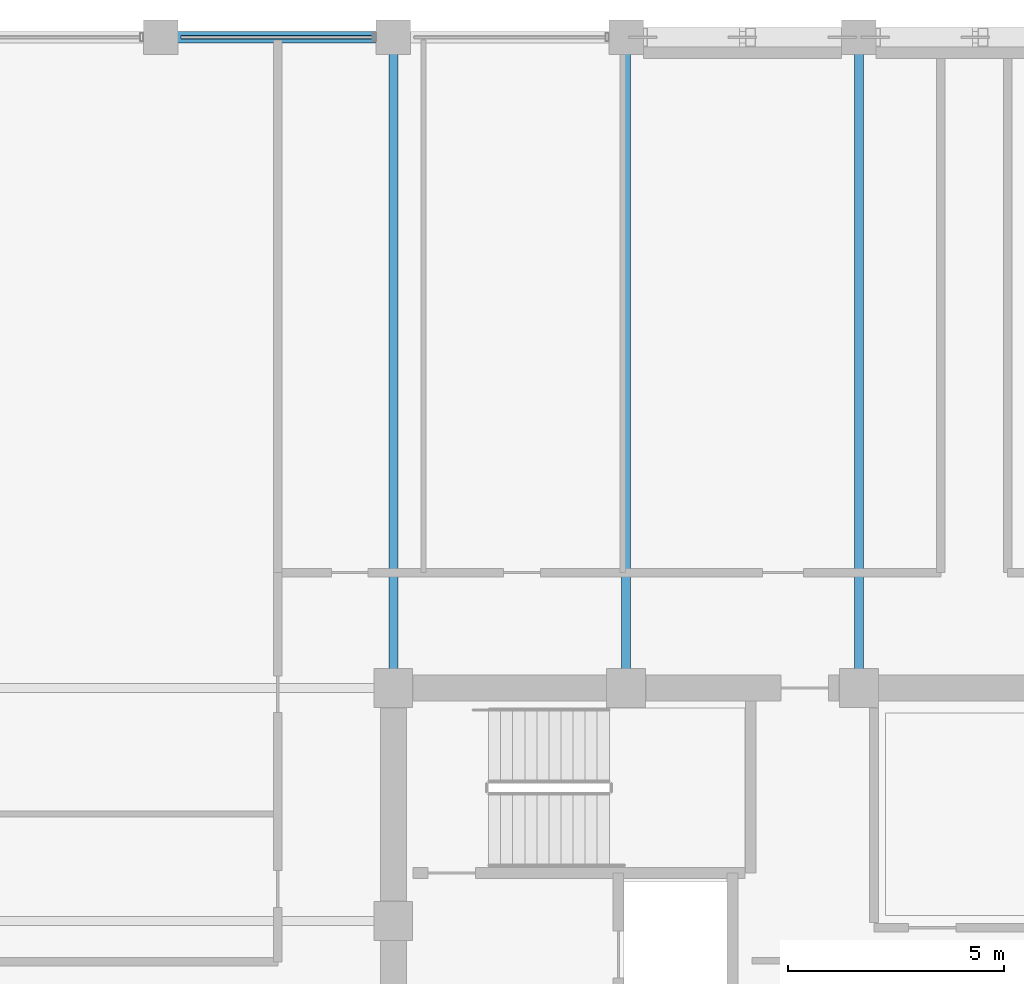
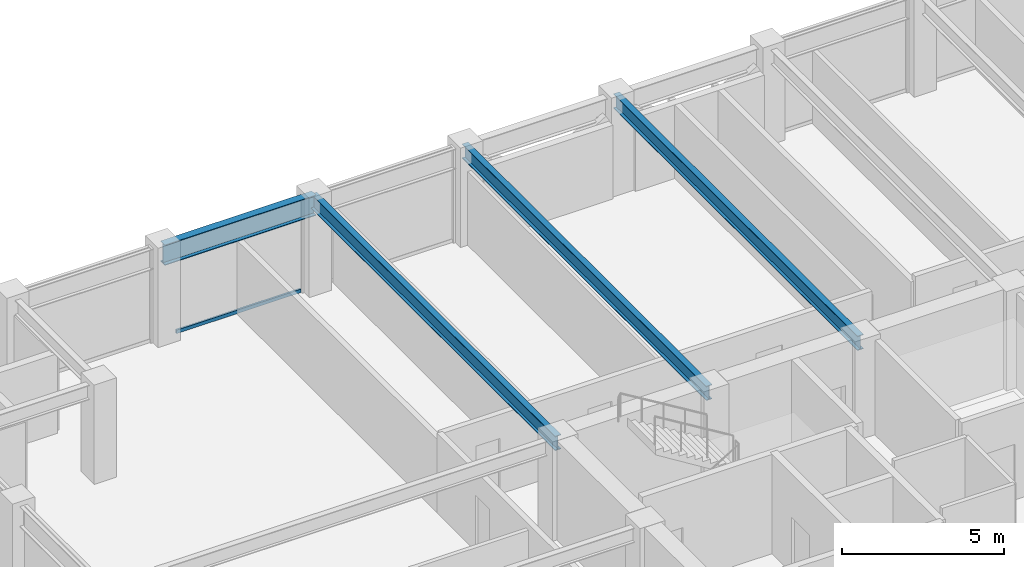
# One storey, part 17 of 30: 4 beams, 1 member, 1 element without a shape of its own.
"""IFC4 building model written with IfcOpenShell, lengths in metres."""

from ifc_helpers import new_model, si_unit, direction, frame, origin, origin_2d, place, context, subcontext, project, spatial, hollow_rectangle, i_section, extrude, material, layer, layer_set, material_profile, profile_set, type_object, element, aggregate, save


model = new_model("IFC4")

# Units and contexts
model_context = context("Model", 3, precision=1e-05, world=origin(), true_north=direction((0.0, 1.0)))
body_context = subcontext(model_context, "Body", "Model", "MODEL_VIEW")
ifc_project = project(units=[si_unit("LENGTHUNIT", "METRE"), si_unit("AREAUNIT", "SQUARE_METRE"), si_unit("VOLUMEUNIT", "CUBIC_METRE"), si_unit("PLANEANGLEUNIT", "RADIAN"), si_unit("MASSUNIT", "GRAM", prefix="KILO")], contexts=[model_context])

# Site, building, storey
site_placement = place(None, origin())
site = spatial("IfcSite", under=ifc_project, at=site_placement, CompositionType="ELEMENT")
building_placement = place(site_placement, origin())
building = spatial("IfcBuilding", under=site, at=building_placement, Name="Surkhivell Harbour Commons", CompositionType="ELEMENT")
storey_placement = place(building_placement, frame((0.0, 0.0, 227.25)))
storey = spatial("IfcBuildingStorey", under=building, at=storey_placement, Name="L59", CompositionType="ELEMENT", Elevation=227.25)

# Beams
ifc_material_1 = material(Name="Steel S355", Category="steel")
ifc_material_profile_1 = material_profile(ifc_material_1, i_section(OverallWidth=0.2119140625, OverallDepth=0.5439453125, WebThickness=0.0126953125, FlangeThickness=0.021240234375, at=origin_2d()), Name="UB533x210x122")
ifc_profile_set_1 = profile_set([ifc_material_profile_1], Name="Steel S355")
beam_type_1 = type_object("IfcBeamType", Name="BM-GRD-533A", PredefinedType="BEAM", material=ifc_profile_set_1)
for number, where, z_axis, x_axis, name in (
    (1, (-10.800048828125, 10.800048828125, 3.298095703125), (0.0, 1.0, 0.0), (-1.0, 0.0, 0.0), "L59 Floor Girder (-10.8,10.8)"),
    (2, (-5.39990234375, 10.800048828125, 3.298095703125), (0.0, 1.0, 0.0), (-1.0, 0.0, 0.0), "L59 Floor Girder (-5.4,10.8)"),
    (3, (0.0, 10.800048828125, 3.298095703125), (0.0, 1.0, 0.0), (-1.0, 0.0, 0.0), "L59 Floor Girder (0.0,10.8)"),
):
    element("IfcBeam", number, at=place(storey_placement, frame(where, z_axis=z_axis, x_axis=x_axis)), inside=storey, type_object=beam_type_1, Name=name, PredefinedType="BEAM", context=body_context, shape_type="SweptSolid", body=[
        extrude(i_section(OverallWidth=0.2119140625, OverallDepth=0.5439453125, WebThickness=0.0126953125, FlangeThickness=0.021240234375, at=origin_2d()), origin(), (0.0, 0.0, 1.0), 15.099853515625),
    ])
ifc_material_profile_2 = material_profile(ifc_material_1, i_section(OverallWidth=0.26806640625, OverallDepth=0.77001953125, WebThickness=0.015625, FlangeThickness=0.025390625, at=origin_2d()), Name="UB762x267x197")
ifc_profile_set_2 = profile_set([ifc_material_profile_2], Name="Steel S355")
beam_type_2 = type_object("IfcBeamType", Name="BM-SPN-762", PredefinedType="SPANDREL", material=ifc_profile_set_2)
beam_placement = place(storey_placement, frame((-16.199951171875, 25.89990234375, 3.18505859375), z_axis=(1.0, 0.0, 0.0), x_axis=(0.0, 1.0, 0.0)))
element("IfcBeam", 4, at=beam_placement, inside=storey, type_object=beam_type_2, Name="L59 Tube Spandrel (-16.2,25.9)", PredefinedType="SPANDREL", context=body_context, shape_type="SweptSolid", body=[
    extrude(i_section(OverallWidth=0.26806640625, OverallDepth=0.77001953125, WebThickness=0.015625, FlangeThickness=0.025390625, at=origin_2d()), origin(), (0.0, 0.0, 1.0), 5.39990234375),
])

# Curtain wall, member
ifc_material_2 = material(Name="Anodised pale-metal aluminium and insulated glazing", Category="aluminium")
ifc_layer = layer(ifc_material_2, 0.18994140625)
ifc_layer_set = layer_set([ifc_layer], Name="Anodised pale-metal aluminium and insulated glazing")
curtain_wall_type = type_object("IfcCurtainWallType", Name="CW-SYS-Z3", PredefinedType="NOTDEFINED", material=ifc_layer_set)
curtain_wall_placement = place(storey_placement, origin())
curtain_wall = element("IfcCurtainWall", 5, at=curtain_wall_placement, inside=storey, type_object=curtain_wall_type, Name="L59 Curtain Wall CW-L59-E07S2", PredefinedType="NOTDEFINED")
ifc_material_3 = material(Name="Champagne anodised aluminium alloy 6063-T6", Category="aluminium")
ifc_material_profile_3 = material_profile(ifc_material_3, hollow_rectangle(XDim=0.070068359375, YDim=0.1298828125, WallThickness=0.00341796875, at=origin_2d()), Name="ALU-TRAN-70x130")
ifc_profile_set_3 = profile_set([ifc_material_profile_3], Name="Champagne anodised aluminium alloy 6063-T6")
member_type = type_object("IfcMemberType", Name="CWT-130", PredefinedType="USERDEFINED", material=ifc_profile_set_3)
member_placement = place(storey_placement, frame((-11.277099609375, 25.89990234375, 0.06494140625), z_axis=(-1.0, 0.0, 0.0), x_axis=(0.0, -1.0, 0.0)))
member = element("IfcMember", 6, at=member_placement, type_object=member_type, Name="CW-Z3 transom 2.1", ObjectType="TRANSOM", PredefinedType="USERDEFINED", context=body_context, shape_type="SweptSolid", body=[
    extrude(hollow_rectangle(XDim=0.070068359375, YDim=0.1298828125, WallThickness=0.00341796875, at=origin_2d()), origin(), (0.0, 0.0, 1.0), 4.44580078125),
])
aggregate(curtain_wall, [member])

save(model, "model.ifc")
